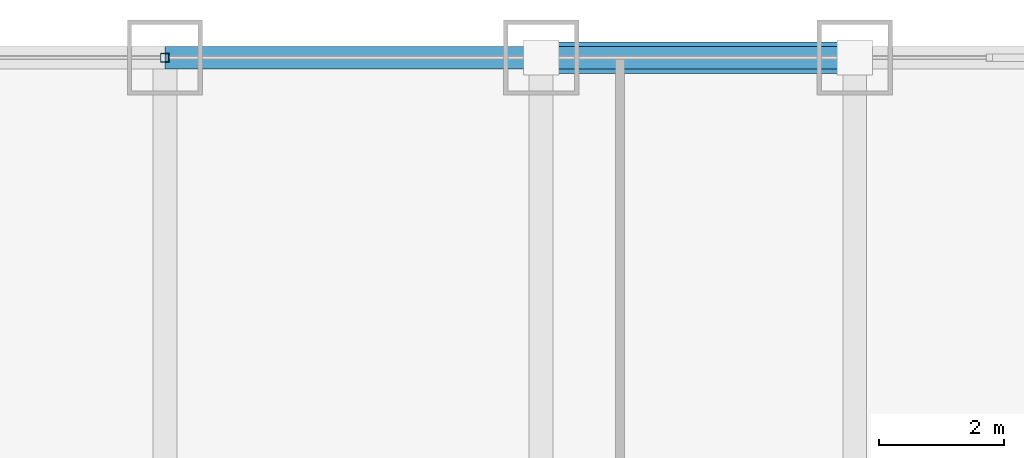
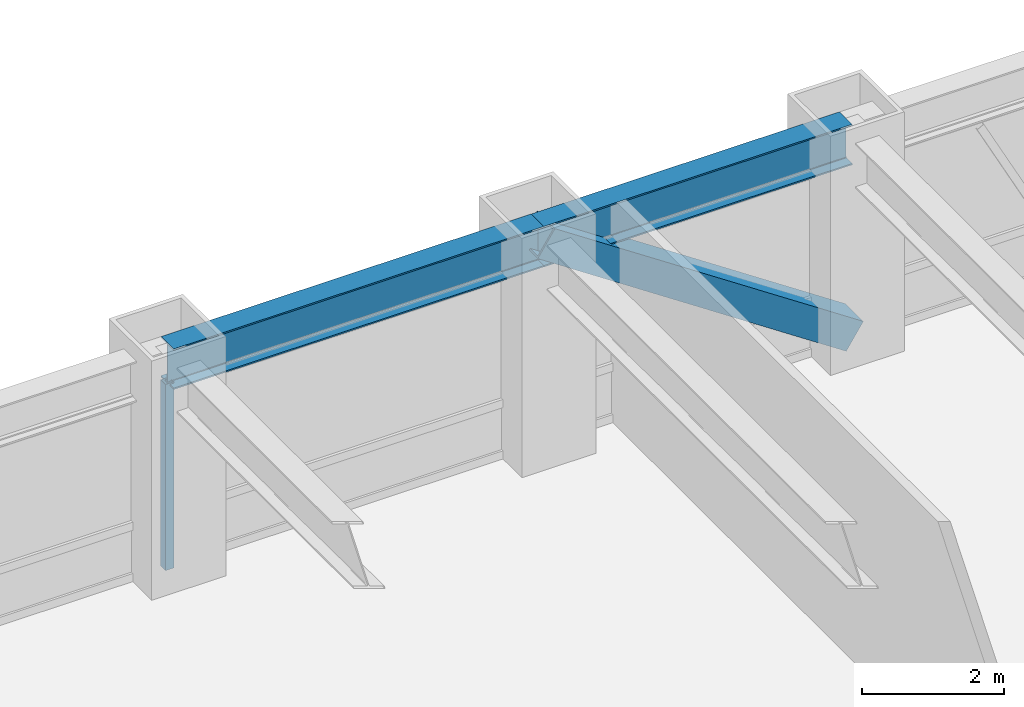
# One storey, part 19 of 28: 2 beams, 2 members, 1 element without a shape of its own.
"""IFC4 building model written with IfcOpenShell, lengths in metres."""

from ifc_helpers import new_model, si_unit, direction, frame, origin, origin_2d, place, context, subcontext, project, spatial, hollow_rectangle, i_section, extrude, source, transform, mapped, material, material_profile, profile_set, type_object, element, aggregate, save


model = new_model("IFC4")

# Units and contexts
model_context = context("Model", 3, precision=1e-05, world=origin(), true_north=direction((0.0, 1.0)))
body_context = subcontext(model_context, "Body", "Model", "MODEL_VIEW")
ifc_project = project(units=[si_unit("LENGTHUNIT", "METRE"), si_unit("AREAUNIT", "SQUARE_METRE"), si_unit("VOLUMEUNIT", "CUBIC_METRE"), si_unit("PLANEANGLEUNIT", "RADIAN"), si_unit("MASSUNIT", "GRAM", prefix="KILO")], contexts=[model_context])

# Site, building, storey
site_placement = place(None, origin())
site = spatial("IfcSite", under=ifc_project, at=site_placement, CompositionType="ELEMENT")
building_placement = place(site_placement, origin())
building = spatial("IfcBuilding", under=site, at=building_placement, Name="Khorayat Bourse Tower", CompositionType="ELEMENT")
storey_placement = place(building_placement, frame((0.0, 0.0, 116.0)))
storey = spatial("IfcBuildingStorey", under=building, at=storey_placement, Name="L26", CompositionType="ELEMENT", Elevation=116.0)

# Beams
ifc_material_1 = material(Name="Steel ASTM A992 Grade 50", Category="steel")
ifc_material_profile_1 = material_profile(ifc_material_1, i_section(OverallWidth=0.35498046875, OverallDepth=0.695068359375, WebThickness=0.015380859375, FlangeThickness=0.02490234375, FilletRadius=0.01806640625, at=origin_2d()), Name="W690X217")
ifc_profile_set_1 = profile_set([ifc_material_profile_1], Name="Steel ASTM A992 Grade 50")
beam_type = type_object("IfcBeamType", Name="BM-SPAN-690", PredefinedType="SPANDREL", material=ifc_profile_set_1)
shared_shape_1 = source(origin(), body_context, "Body", "SweptSolid", [
    extrude(i_section(OverallWidth=0.35498046875, OverallDepth=0.695068359375, WebThickness=0.015380859375, FlangeThickness=0.02490234375, FilletRadius=0.01806640625, at=origin_2d()), origin(), (0.0, 0.0, 1.0), 5.0),
])
beam_1_placement = place(storey_placement, frame((6.0, 32.0, 3.492431640625), z_axis=(1.0, 0.0, 0.0), x_axis=(0.0, 1.0, 0.0)))
element("IfcBeam", 1, at=beam_1_placement, inside=storey, type_object=beam_type, Name="L26 BM-SPAN-690 BM-L26-SPN-046", PredefinedType="SPANDREL", context=body_context, shape_type="MappedRepresentation", body=[
    mapped(shared_shape_1, transform((0.0, 0.0, 0.0), scale=1.0)),
])
shared_shape_2 = source(origin(), body_context, "Body", "SweptSolid", [
    extrude(i_section(OverallWidth=0.35498046875, OverallDepth=0.695068359375, WebThickness=0.015380859375, FlangeThickness=0.02490234375, FilletRadius=0.01806640625, at=origin_2d()), origin(), (0.0, 0.0, 1.0), 6.0),
])
beam_2_placement = place(storey_placement, frame((0.0, 32.0, 3.492431640625), z_axis=(1.0, 0.0, 0.0), x_axis=(0.0, 1.0, 0.0)))
element("IfcBeam", 2, at=beam_2_placement, inside=storey, type_object=beam_type, Name="L26 BM-SPAN-690 BM-L26-SPN-047", PredefinedType="SPANDREL", context=body_context, shape_type="MappedRepresentation", body=[
    mapped(shared_shape_2, transform((0.0, 0.0, 0.0), scale=1.0)),
])

# Member
ifc_material_2 = material(Name="Steel EN 10025-4 S460M", Category="steel")
ifc_material_profile_2 = material_profile(ifc_material_2, hollow_rectangle(XDim=0.5, YDim=0.5, WallThickness=0.028076171875, at=origin_2d()), Name="HSS 500x500x28")
ifc_profile_set_2 = profile_set([ifc_material_profile_2], Name="Steel EN 10025-4 S460M")
member_type_1 = type_object("IfcMemberType", Name="MBR-TUBE-500", PredefinedType="BRACE", material=ifc_profile_set_2)
shared_shape_3 = source(origin(), body_context, "Body", "SweptSolid", [
    extrude(hollow_rectangle(XDim=0.5, YDim=0.5, WallThickness=0.028076171875, at=origin_2d()), origin(), (0.0, 0.0, 1.0), 6.012939453125),
])
member_1_placement = place(storey_placement, frame((6.0, 32.0, 3.590087890625), z_axis=(0.831531473026, 0.0, -0.555477640745), x_axis=(0.0, 1.0, 0.0)))
element("IfcMember", 3, at=member_1_placement, inside=storey, type_object=member_type_1, Name="L26 Perimeter Tube Brace 04", PredefinedType="BRACE", context=body_context, shape_type="MappedRepresentation", body=[
    mapped(shared_shape_3, transform((0.0, 0.0, 0.0), scale=1.0)),
])

# Curtain wall, member
ifc_material_3 = material(Name="Aluminium EN AW-6063 T6", Category="aluminium")
curtain_wall_type = type_object("IfcCurtainWallType", Name="CW-SYS-02", PredefinedType="NOTDEFINED", material=ifc_material_3)
curtain_wall_placement = place(storey_placement, origin())
curtain_wall = element("IfcCurtainWall", 4, at=curtain_wall_placement, inside=storey, type_object=curtain_wall_type, Name="L26 Curtain Wall CW-L26-N1", PredefinedType="NOTDEFINED")
ifc_material_profile_3 = material_profile(ifc_material_3, hollow_rectangle(XDim=0.139892578125, YDim=0.139892578125, WallThickness=0.006103515625, at=origin_2d()), Name="ALU 140x140x6")
ifc_profile_set_3 = profile_set([ifc_material_profile_3], Name="Aluminium EN AW-6063 T6")
member_type_2 = type_object("IfcMemberType", Name="CWM-VERT-140", PredefinedType="MULLION", material=ifc_profile_set_3)
shared_shape_4 = source(origin(), body_context, "Body", "SweptSolid", [
    extrude(hollow_rectangle(XDim=0.139892578125, YDim=0.139892578125, WallThickness=0.006103515625, at=origin_2d()), origin(), (0.0, 0.0, 1.0), 3.18994140625),
])
member_2_placement = place(storey_placement, frame((0.0, 32.0, 0.0), z_axis=(0.0, 0.0, 1.0), x_axis=(0.0, 1.0, 0.0)))
member_2 = element("IfcMember", 5, at=member_2_placement, type_object=member_type_2, Name="CW-L26-N1 Vertical Mullion 2", PredefinedType="MULLION", context=body_context, shape_type="MappedRepresentation", body=[
    mapped(shared_shape_4, transform((0.0, 0.0, 0.0), scale=1.0)),
])
aggregate(curtain_wall, [member_2])

save(model, "model.ifc")
